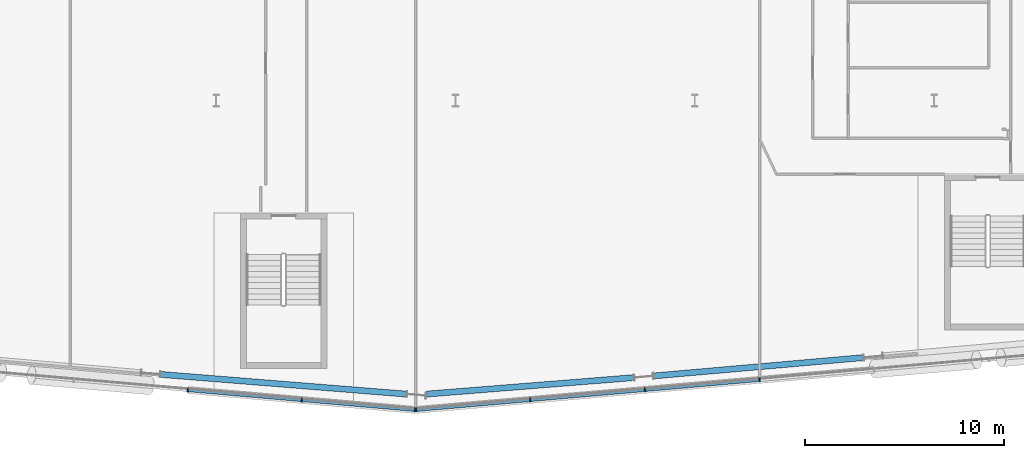
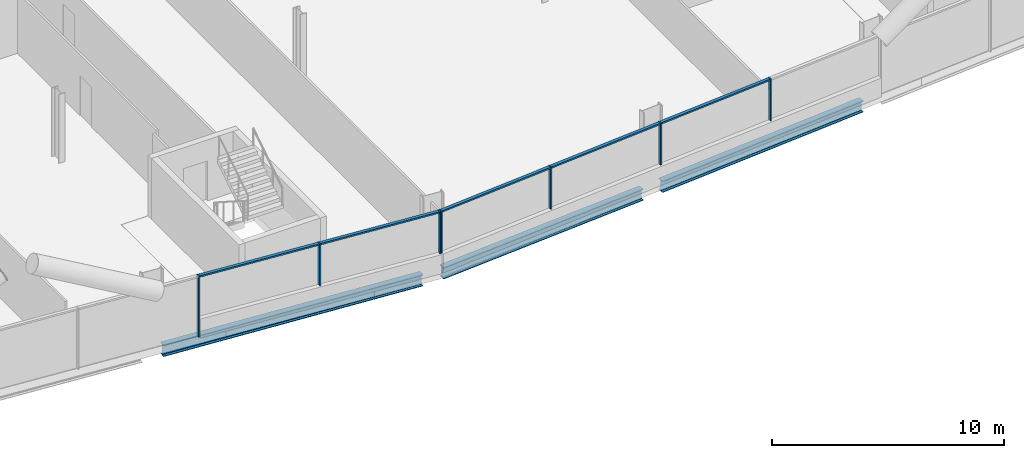
# One storey, part 6 of 24: 12 members, 3 beams, 2 elements without a shape of their own.
"""IFC4 building model written with IfcOpenShell, lengths in metres."""

from ifc_helpers import new_model, si_unit, direction, frame, origin, origin_2d, place, context, subcontext, project, spatial, rectangle, i_section, extrude, material, material_profile, profile_set, type_object, element, aggregate, save


model = new_model("IFC4")

# Units and contexts
model_context = context("Model", 3, precision=1e-05, world=origin(), true_north=direction((0.0, 1.0)))
body_context = subcontext(model_context, "Body", "Model", "MODEL_VIEW")
ifc_project = project(units=[si_unit("LENGTHUNIT", "METRE"), si_unit("AREAUNIT", "SQUARE_METRE"), si_unit("VOLUMEUNIT", "CUBIC_METRE"), si_unit("PLANEANGLEUNIT", "RADIAN"), si_unit("MASSUNIT", "GRAM", prefix="KILO")], contexts=[model_context])

# Site, building, storey
site_placement = place(None, origin())
site = spatial("IfcSite", under=ifc_project, at=site_placement, CompositionType="ELEMENT")
building_placement = place(site_placement, origin())
building = spatial("IfcBuilding", under=site, at=building_placement, Name="Wharfspan Tower", CompositionType="ELEMENT")
storey_placement = place(building_placement, frame((0.0, 0.0, 66.699951)))
storey = spatial("IfcBuildingStorey", under=building, at=storey_placement, Name="L13", CompositionType="ELEMENT", Elevation=66.699951)

# Beams
ifc_material_1 = material(Name="Steel S355J2", Category="steel")
ifc_material_profile_1 = material_profile(ifc_material_1, i_section(OverallWidth=0.300049, OverallDepth=0.600098, WebThickness=0.015381, FlangeThickness=0.030029, FilletRadius=0.0271, at=origin_2d()))
ifc_profile_set_1 = profile_set([ifc_material_profile_1], Name="Steel S355J2")
beam_type = type_object("IfcBeamType", Name="Edge beam HEB 600", PredefinedType="SPANDREL", material=ifc_profile_set_1)
beam_1_placement = place(storey_placement, frame((33.222656, -2.240479, -0.699951), z_axis=(0.996802, -0.079913, 0.0), x_axis=(0.079913, 0.996802, 0.0)))
element("IfcBeam", 1, at=beam_1_placement, inside=storey, type_object=beam_type, Name="Edge beam S1 L13 PS1.3 to PS1.4", PredefinedType="SPANDREL", context=body_context, shape_type="SweptSolid", body=[
    extrude(i_section(OverallWidth=0.300049, OverallDepth=0.600098, WebThickness=0.015381, FlangeThickness=0.030029, FilletRadius=0.0271, at=origin_2d()), origin(), (0.0, 0.0, 1.0), 12.36084),
])
beam_2_placement = place(storey_placement, frame((46.547852, -3.228027, -0.699951), z_axis=(0.996848, 0.079335, 0.0), x_axis=(-0.079335, 0.996848, 0.0)))
element("IfcBeam", 2, at=beam_2_placement, inside=storey, type_object=beam_type, Name="Edge beam S2 L13 PS1.4 to PS2.1", PredefinedType="SPANDREL", context=body_context, shape_type="SweptSolid", body=[
    extrude(i_section(OverallWidth=0.300049, OverallDepth=0.600098, WebThickness=0.015381, FlangeThickness=0.030029, FilletRadius=0.0271, at=origin_2d()), origin(), (0.0, 0.0, 1.0), 10.429199),
])
beam_3_placement = place(storey_placement, frame((57.940674, -2.317383, -0.699951), z_axis=(0.996195, 0.087155, 0.0), x_axis=(-0.087155, 0.996195, 0.0)))
element("IfcBeam", 3, at=beam_3_placement, inside=storey, type_object=beam_type, Name="Edge beam S2 L13 PS2.1 to PS2.2", PredefinedType="SPANDREL", context=body_context, shape_type="SweptSolid", body=[
    extrude(i_section(OverallWidth=0.300049, OverallDepth=0.600098, WebThickness=0.015381, FlangeThickness=0.030029, FilletRadius=0.0271, at=origin_2d()), origin(), (0.0, 0.0, 1.0), 10.543701),
])

# Curtain wall, members
ifc_material_2 = material(Name="Aluminium 6063-T6", Category="aluminium")
curtain_wall_type = type_object("IfcCurtainWallType", Name="CURTAIN WALL FACETED FRONT", PredefinedType="NOTDEFINED", material=ifc_material_2)
curtain_wall_1_placement = place(storey_placement, origin())
curtain_wall_1 = element("IfcCurtainWall", 4, at=curtain_wall_1_placement, inside=storey, type_object=curtain_wall_type, Name="Curtain wall S1", PredefinedType="NOTDEFINED")
ifc_material_profile_2 = material_profile(ifc_material_2, rectangle(XDim=0.199951, YDim=0.060059, at=origin_2d()))
ifc_profile_set_2 = profile_set([ifc_material_profile_2], Name="Aluminium 6063-T6")
member_type_1 = type_object("IfcMemberType", Name="MULLION FACETED FRONT 60x200", PredefinedType="MULLION", material=ifc_profile_set_2)
member_1_placement = place(storey_placement, frame((34.571533, -3.024658, 0.0), z_axis=(0.0, 0.0, 1.0), x_axis=(0.087156, 0.996197, 0.0)))
member_1 = element("IfcMember", 5, at=member_1_placement, type_object=member_type_1, Name="Curtain wall S1 mullion 6", PredefinedType="MULLION", context=body_context, shape_type="SweptSolid", body=[
    extrude(rectangle(XDim=0.199951, YDim=0.060059, at=origin_2d()), origin(), (0.0, 0.0, 1.0), 3.199951),
])
member_2_placement = place(storey_placement, frame((40.285645, -3.524658, 1.0), z_axis=(0.0, 0.0, 1.0), x_axis=(0.087156, 0.996197, 0.0)))
member_2 = element("IfcMember", 6, at=member_2_placement, type_object=member_type_1, Name="Curtain wall S1 mullion 7", PredefinedType="MULLION", context=body_context, shape_type="SweptSolid", body=[
    extrude(rectangle(XDim=0.199951, YDim=0.060059, at=origin_2d()), origin(), (0.0, 0.0, 1.0), 2.199951),
])
member_3_placement = place(storey_placement, frame((45.970215, -4.021973, 1.0), z_axis=(0.0, 0.0, 1.0), x_axis=(0.087156, 0.996197, 0.0)))
member_3 = element("IfcMember", 7, at=member_3_placement, type_object=member_type_1, Name="Curtain wall S1 mullion 8", PredefinedType="MULLION", context=body_context, shape_type="SweptSolid", body=[
    extrude(rectangle(XDim=0.199951, YDim=0.060059, at=origin_2d()), origin(), (0.0, 0.0, 1.0), 2.199951),
])

curtain_wall_2_placement = place(storey_placement, origin())
curtain_wall_2 = element("IfcCurtainWall", 8, at=curtain_wall_2_placement, inside=storey, type_object=curtain_wall_type, Name="Curtain wall S2", PredefinedType="NOTDEFINED")
member_4_placement = place(storey_placement, frame((46.029785, -4.021973, 1.0), z_axis=(0.0, 0.0, 1.0), x_axis=(-0.087156, 0.996197, 0.0)))
member_4 = element("IfcMember", 9, at=member_4_placement, type_object=member_type_1, Name="Curtain wall S2 mullion 1", PredefinedType="MULLION", context=body_context, shape_type="SweptSolid", body=[
    extrude(rectangle(XDim=0.199951, YDim=0.060059, at=origin_2d()), origin(), (0.0, 0.0, 1.0), 2.199951),
])
member_5_placement = place(storey_placement, frame((51.75, -3.521484, 1.0), z_axis=(0.0, 0.0, 1.0), x_axis=(-0.087156, 0.996197, 0.0)))
member_5 = element("IfcMember", 10, at=member_5_placement, type_object=member_type_1, Name="Curtain wall S2 mullion 2", PredefinedType="MULLION", context=body_context, shape_type="SweptSolid", body=[
    extrude(rectangle(XDim=0.199951, YDim=0.060059, at=origin_2d()), origin(), (0.0, 0.0, 1.0), 2.199951),
])
member_6_placement = place(storey_placement, frame((57.5, -3.018311, 1.0), z_axis=(0.0, 0.0, 1.0), x_axis=(-0.087156, 0.996197, 0.0)))
member_6 = element("IfcMember", 11, at=member_6_placement, type_object=member_type_1, Name="Curtain wall S2 mullion 3", PredefinedType="MULLION", context=body_context, shape_type="SweptSolid", body=[
    extrude(rectangle(XDim=0.199951, YDim=0.060059, at=origin_2d()), origin(), (0.0, 0.0, 1.0), 2.199951),
])
member_7_placement = place(storey_placement, frame((63.25, -2.515381, 1.0), z_axis=(0.0, 0.0, 1.0), x_axis=(-0.087156, 0.996197, 0.0)))
member_7 = element("IfcMember", 12, at=member_7_placement, type_object=member_type_1, Name="Curtain wall S2 mullion 4", PredefinedType="MULLION", context=body_context, shape_type="SweptSolid", body=[
    extrude(rectangle(XDim=0.199951, YDim=0.060059, at=origin_2d()), origin(), (0.0, 0.0, 1.0), 2.199951),
])

# Member
ifc_material_profile_3 = material_profile(ifc_material_2, rectangle(XDim=0.159912, YDim=0.080078, at=origin_2d()))
ifc_profile_set_3 = profile_set([ifc_material_profile_3], Name="Aluminium 6063-T6")
member_type_2 = type_object("IfcMemberType", Name="TRANSOM FACETED FRONT 80x160", PredefinedType="USERDEFINED", material=ifc_profile_set_3)
member_8_placement = place(storey_placement, frame((34.601318, -3.027344, 3.160156), z_axis=(0.996196, -0.087142, 0.0), x_axis=(0.087142, 0.996196, 0.0)))
member_8 = element("IfcMember", 13, at=member_8_placement, type_object=member_type_2, Name="Curtain wall S1 transom 6", ObjectType="TRANSOM", PredefinedType="USERDEFINED", context=body_context, shape_type="SweptSolid", body=[
    extrude(rectangle(XDim=0.159912, YDim=0.080078, at=origin_2d()), origin(), (0.0, 0.0, 1.0), 5.676025),
])

member_9_placement = place(storey_placement, frame((40.315674, -3.5271, 3.160156), z_axis=(0.996193, -0.087174, 0.0), x_axis=(0.087174, 0.996193, 0.0)))
member_9 = element("IfcMember", 14, at=member_9_placement, type_object=member_type_2, Name="Curtain wall S1 transom 7", ObjectType="TRANSOM", PredefinedType="USERDEFINED", context=body_context, shape_type="SweptSolid", body=[
    extrude(rectangle(XDim=0.159912, YDim=0.080078, at=origin_2d()), origin(), (0.0, 0.0, 1.0), 5.645996),
])

aggregate(curtain_wall_1, [member_1, member_2, member_3, member_8, member_9])

member_10_placement = place(storey_placement, frame((46.059814, -4.019287, 3.160156), z_axis=(0.996193, 0.08718, 0.0), x_axis=(-0.08718, 0.996193, 0.0)))
member_10 = element("IfcMember", 15, at=member_10_placement, type_object=member_type_2, Name="Curtain wall S2 transom 1", ObjectType="TRANSOM", PredefinedType="USERDEFINED", context=body_context, shape_type="SweptSolid", body=[
    extrude(rectangle(XDim=0.159912, YDim=0.080078, at=origin_2d()), origin(), (0.0, 0.0, 1.0), 5.682129),
])

member_11_placement = place(storey_placement, frame((51.779785, -3.518799, 3.160156), z_axis=(0.996195, 0.087148, 0.0), x_axis=(-0.087148, 0.996195, 0.0)))
member_11 = element("IfcMember", 16, at=member_11_placement, type_object=member_type_2, Name="Curtain wall S2 transom 2", ObjectType="TRANSOM", PredefinedType="USERDEFINED", context=body_context, shape_type="SweptSolid", body=[
    extrude(rectangle(XDim=0.159912, YDim=0.080078, at=origin_2d()), origin(), (0.0, 0.0, 1.0), 5.712158),
])

member_12_placement = place(storey_placement, frame((57.529785, -3.015625, 3.160156), z_axis=(0.996195, 0.087148, 0.0), x_axis=(-0.087148, 0.996195, 0.0)))
member_12 = element("IfcMember", 17, at=member_12_placement, type_object=member_type_2, Name="Curtain wall S2 transom 3", ObjectType="TRANSOM", PredefinedType="USERDEFINED", context=body_context, shape_type="SweptSolid", body=[
    extrude(rectangle(XDim=0.159912, YDim=0.080078, at=origin_2d()), origin(), (0.0, 0.0, 1.0), 5.712158),
])

aggregate(curtain_wall_2, [member_4, member_5, member_6, member_7, member_10, member_11, member_12])

save(model, "model.ifc")
